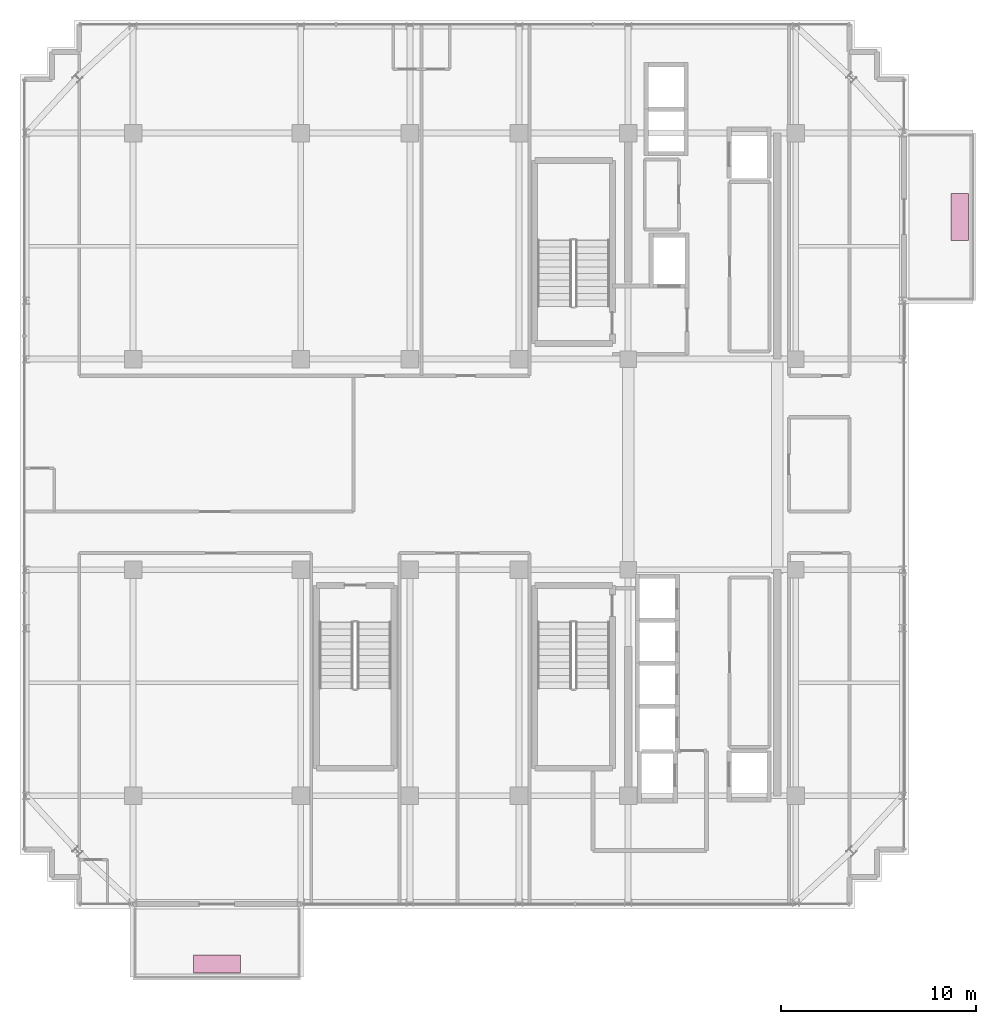
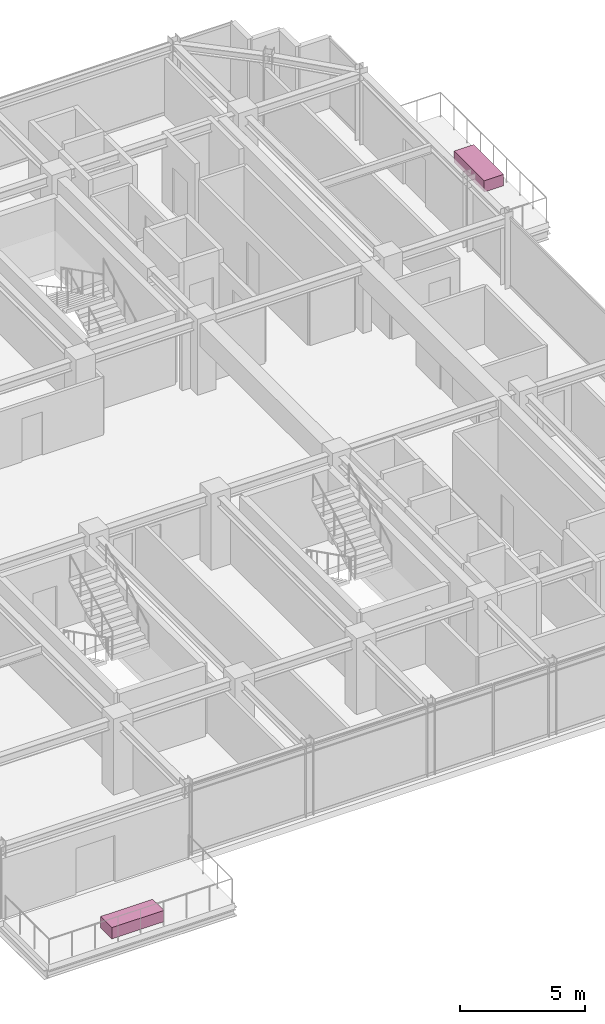
# One storey, part 32 of 32: 2 furnishings.
"""IFC4 building model written with IfcOpenShell, lengths in metres."""

from ifc_helpers import new_model, si_unit, direction, frame, origin, origin_2d, place, context, subcontext, project, spatial, rectangle, extrude, source, transform, mapped, material, type_object, element, save


model = new_model("IFC4")

# Units and contexts
model_context = context("Model", 3, precision=1e-05, world=origin(), true_north=direction((0.0, 1.0)))
body_context = subcontext(model_context, "Body", "Model", "MODEL_VIEW")
ifc_project = project(units=[si_unit("LENGTHUNIT", "METRE"), si_unit("AREAUNIT", "SQUARE_METRE"), si_unit("VOLUMEUNIT", "CUBIC_METRE"), si_unit("PLANEANGLEUNIT", "RADIAN"), si_unit("MASSUNIT", "GRAM", prefix="KILO")], contexts=[model_context])

# Site, building, storey
site_placement = place(None, origin())
site = spatial("IfcSite", under=ifc_project, at=site_placement, CompositionType="ELEMENT")
building_placement = place(site_placement, origin())
building = spatial("IfcBuilding", under=site, at=building_placement, Name="Nahalor Promenade Grand Hotel", CompositionType="ELEMENT")
storey_placement = place(building_placement, frame((0.0, 0.0, 285.050048828125)))
storey = spatial("IfcBuildingStorey", under=building, at=storey_placement, Name="L73", CompositionType="ELEMENT", Elevation=285.050048828125)

# Furnishings
ifc_material = material(Name="Vegetated Volcanic-Lapilli Tree Planter", Category="earth")
furnishing_element_type = type_object("IfcFurnishingElementType", Name="Planter-VerticalForest-Box", material=ifc_material)
shared_shape = source(origin(), body_context, "Body", "SweptSolid", [
    extrude(rectangle(XDim=2.39990234375, YDim=0.89990234375, at=origin_2d()), origin(), (0.0, 0.0, 1.0), 0.550048828125),
])
for number, where, z_axis, x_axis, name in (
    (1, (-12.699951171875, -25.6298828125, 0.0), (0.0, 0.0, 1.0), (1.0, 0.0, 0.0), "L73 Balcony Structural Tree Planter 1"),
    (2, (25.409912109375, 12.699951171875, 0.0), (0.0, 0.0, 1.0), (0.0, 1.0, 0.0), "L73 Balcony Structural Tree Planter 2"),
):
    element("IfcFurnishingElement", number, at=place(storey_placement, frame(where, z_axis=z_axis, x_axis=x_axis)), inside=storey, type_object=furnishing_element_type, Name=name, ObjectType="PLANTER", context=body_context, shape_type="MappedRepresentation", body=[
        mapped(shared_shape, transform((0.0, 0.0, 0.0), scale=1.0)),
    ])

save(model, "model.ifc")
